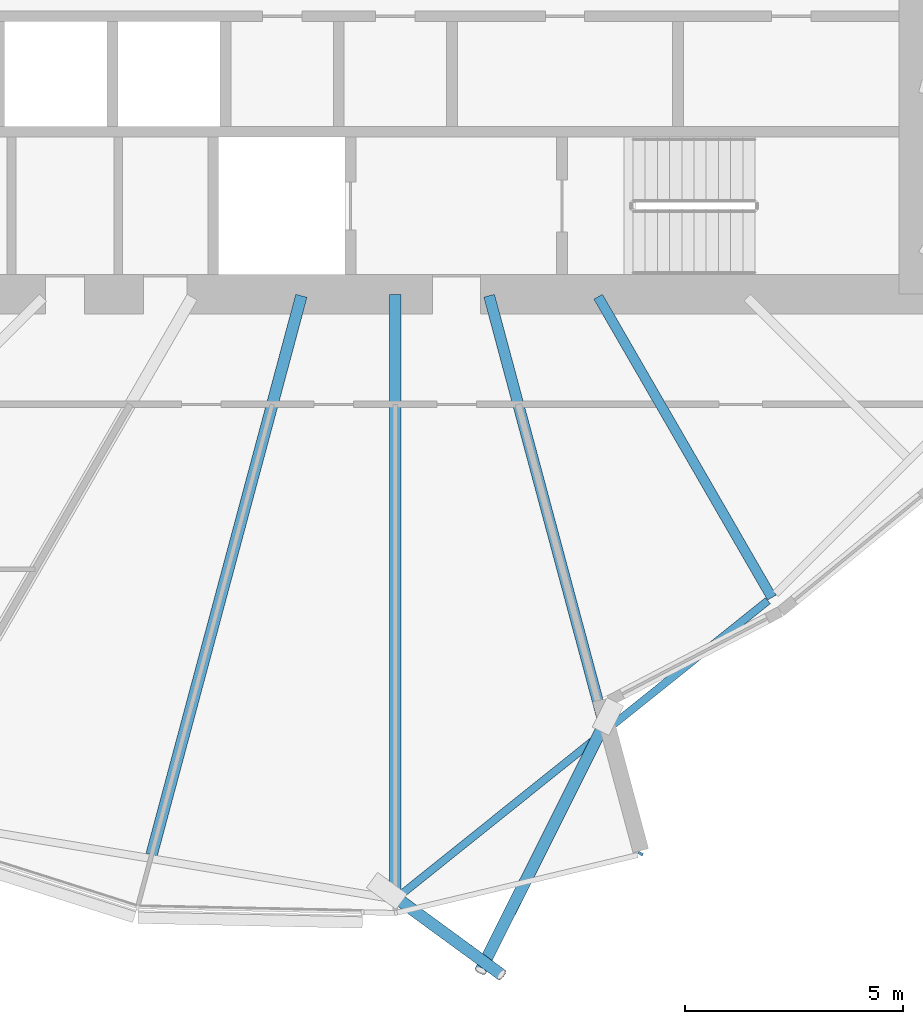
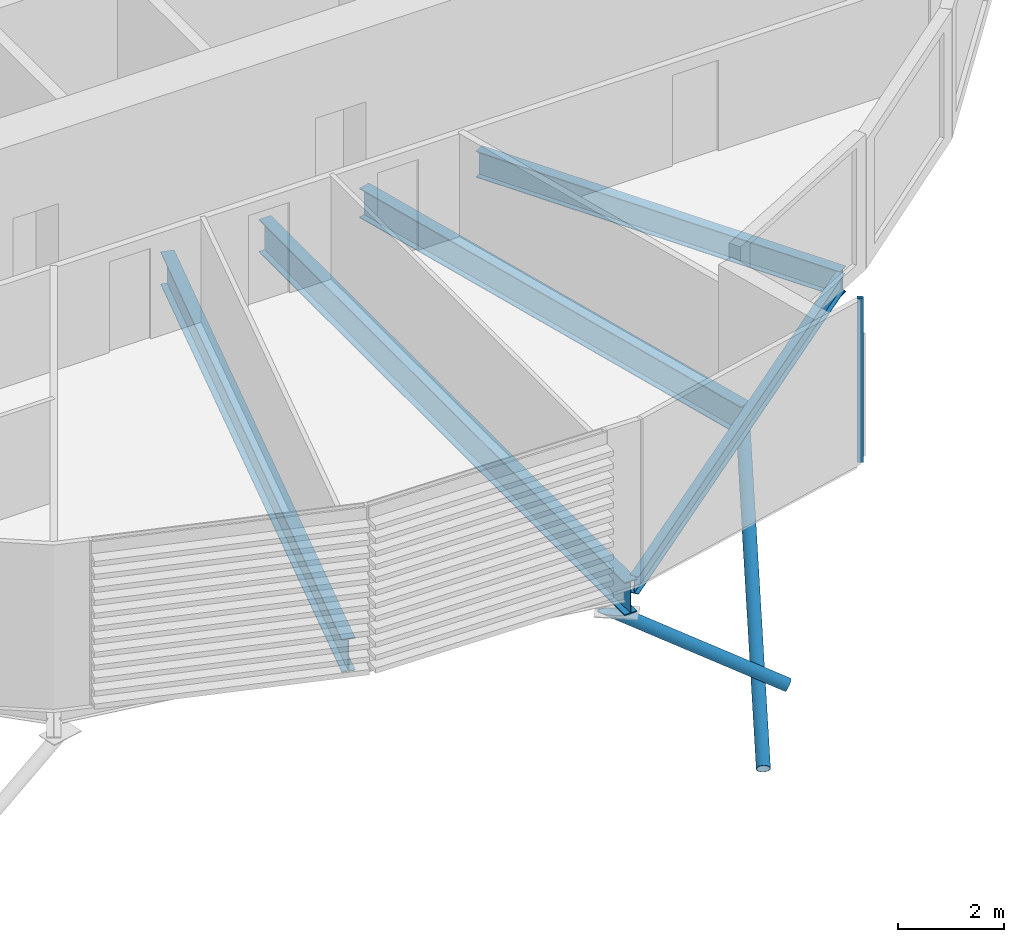
# One storey, part 12 of 38: 5 beams, 3 members, 1 element without a shape of its own.
"""IFC4 building model written with IfcOpenShell, lengths in metres."""

from ifc_helpers import new_model, si_unit, direction, frame, origin, origin_2d, place, context, subcontext, project, spatial, rectangle, hollow_circle, i_section, extrude, clip, halfspace, material, material_profile, profile_set, type_object, element, aggregate, save


model = new_model("IFC4")

# Units and contexts
model_context = context("Model", 3, precision=1e-05, world=origin(), true_north=direction((0.0, 1.0)))
body_context = subcontext(model_context, "Body", "Model", "MODEL_VIEW")
ifc_project = project(units=[si_unit("LENGTHUNIT", "METRE"), si_unit("AREAUNIT", "SQUARE_METRE"), si_unit("VOLUMEUNIT", "CUBIC_METRE"), si_unit("PLANEANGLEUNIT", "RADIAN"), si_unit("MASSUNIT", "GRAM", prefix="KILO")], contexts=[model_context])

# Site, building, storey
site_placement = place(None, origin())
site = spatial("IfcSite", under=ifc_project, at=site_placement, CompositionType="ELEMENT")
building_placement = place(site_placement, origin())
building = spatial("IfcBuilding", under=site, at=building_placement, Name="Rimbun Link Towers", CompositionType="ELEMENT")
storey_placement = place(building_placement, frame((0.0, 0.0, 71.800048828125)))
storey = spatial("IfcBuildingStorey", under=building, at=storey_placement, Name="L17", CompositionType="ELEMENT", Elevation=71.800048828125)

# Curtain wall, member
ifc_material_1 = material(Name="Aluminium 6063-T6 and low-iron glass", Category="aluminium")
curtain_wall_type = type_object("IfcCurtainWallType", Name="CW1 unitised vision wall", PredefinedType="NOTDEFINED", material=ifc_material_1)
curtain_wall_placement = place(storey_placement, origin())
curtain_wall = element("IfcCurtainWall", 1, at=curtain_wall_placement, inside=storey, type_object=curtain_wall_type, Name="CW1 L17 T2", PredefinedType="NOTDEFINED")
ifc_material_2 = material(Name="Aluminium 6063-T6", Category="aluminium")
ifc_material_profile_1 = material_profile(ifc_material_2, rectangle(XDim=0.1201171875, YDim=0.06005859375, at=origin_2d()), Name="MULLION 60X120")
ifc_profile_set_1 = profile_set([ifc_material_profile_1], Name="Aluminium 6063-T6")
member_type_1 = type_object("IfcMemberType", Name="CW1 mullion 60X120", PredefinedType="MULLION", material=ifc_profile_set_1)
member_1_placement = place(storey_placement, frame((37.3740234375, -20.826904296875, 0.0), z_axis=(0.0, 0.0, 1.0), x_axis=(0.859188553098, -0.511659095712, 0.0)))
member_1 = element("IfcMember", 2, at=member_1_placement, type_object=member_type_1, Name="CW1 mullion", PredefinedType="MULLION", context=body_context, shape_type="SweptSolid", body=[
    extrude(rectangle(XDim=0.1201171875, YDim=0.06005859375, at=origin_2d()), origin(), (0.0, 0.0, 1.0), 3.800048828125),
])
aggregate(curtain_wall, [member_1])

# Members
ifc_material_3 = material(Name="Steel S355J2H", Category="steel")
ifc_material_profile_2 = material_profile(ifc_material_3, hollow_circle(Radius=0.136474609375, WallThickness=0.012451171875, at=origin_2d()), Name="CHS 273x12.5")
ifc_profile_set_2 = profile_set([ifc_material_profile_2], Name="Steel S355J2H")
member_type_2 = type_object("IfcMemberType", Name="Floor edge link CHS 273x12.5", PredefinedType="BRACE", material=ifc_profile_set_2)
member_2_placement = place(storey_placement, frame((31.75, -21.822021484375, -1.047607421875), z_axis=(0.739304729856, -0.540940265015, -0.401013897637), x_axis=(0.59049974547, 0.807037824764, 0.0)))
element("IfcMember", 3, at=member_2_placement, inside=storey, type_object=member_type_2, Name="Floor edge link T2 L17 15", PredefinedType="BRACE", context=body_context, shape_type="Clipping", body=[
    clip(extrude(hollow_circle(Radius=0.136474609375, WallThickness=0.012451171875, at=origin_2d()), frame((0.0, 0.0, -0.648681640625)), (0.0, 0.0, 1.0), 3.953125), halfspace(frame((0.0, 0.0, -0.3076171875), z_axis=(0.0, 0.916071969826, -0.401013897637)), False)),
])
member_3_placement = place(storey_placement, frame((36.536376953125, -17.863037109375, -0.96630859375), z_axis=(-0.399059369197, -0.796020779115, -0.455085199795), x_axis=(0.893955480115, -0.448155776011, 0.0)))
element("IfcMember", 4, at=member_3_placement, inside=storey, type_object=member_type_2, Name="Floor edge link T2 L17 16", PredefinedType="BRACE", context=body_context, shape_type="Clipping", body=[
    clip(extrude(hollow_circle(Radius=0.136474609375, WallThickness=0.012451171875, at=origin_2d()), frame((0.0, 0.0, -0.55615234375)), (0.0, 0.0, 1.0), 7.65478515625), halfspace(frame((0.0, 0.0, -0.265380859375), z_axis=(0.0, 0.890447899053, -0.455085199795)), False)),
])

# Beams
ifc_material_4 = material(Name="Steel S355J2", Category="steel")
ifc_material_profile_3 = material_profile(ifc_material_4, i_section(OverallWidth=0.177978515625, OverallDepth=0.406494140625, WebThickness=0.0078125, FlangeThickness=0.0126953125, at=origin_2d()), Name="UB 406x178x60")
ifc_profile_set_3 = profile_set([ifc_material_profile_3], Name="Steel S355J2")
beam_type_1 = type_object("IfcBeamType", Name="UB 406x178x60", PredefinedType="BEAM", material=ifc_profile_set_3)
beam_1_placement = place(storey_placement, frame((31.884033203125, -21.764404296875, -0.36328125), z_axis=(0.780406608882, 0.625272360507, 0.0), x_axis=(-0.625272360507, 0.780406608882, 0.0)))
element("IfcBeam", 5, at=beam_1_placement, inside=storey, type_object=beam_type_1, Name="Edge beam T2 L17 15-17", PredefinedType="BEAM", context=body_context, shape_type="SweptSolid", body=[
    extrude(i_section(OverallWidth=0.177978515625, OverallDepth=0.406494140625, WebThickness=0.0078125, FlangeThickness=0.0126953125, at=origin_2d()), origin(), (0.0, 0.0, 1.0), 10.775390625),
])
ifc_material_5 = material(Name="Steel S355J2", Category="steel")
ifc_material_profile_4 = material_profile(ifc_material_5, i_section(OverallWidth=0.2275390625, OverallDepth=0.6025390625, WebThickness=0.010498046875, FlangeThickness=0.014892578125, at=origin_2d()), Name="UB 610x229x101")
ifc_profile_set_4 = profile_set([ifc_material_profile_4], Name="Steel S355J2")
beam_type_2 = type_object("IfcBeamType", Name="UB 610x229x101", PredefinedType="BEAM", material=ifc_profile_set_4)
beam_2_placement = place(storey_placement, frame((36.402099609375, -8.057861328125, -0.46142578125), z_axis=(0.500013496215, -0.866017611601, 0.0), x_axis=(0.866017611601, 0.500013496215, 0.0)))
element("IfcBeam", 6, at=beam_2_placement, inside=storey, type_object=beam_type_2, Name="Radial beam T2 L17 17", PredefinedType="BEAM", context=body_context, shape_type="SweptSolid", body=[
    extrude(i_section(OverallWidth=0.2275390625, OverallDepth=0.6025390625, WebThickness=0.010498046875, FlangeThickness=0.014892578125, at=origin_2d()), origin(), (0.0, 0.0, 1.0), 7.963134765625),
])
ifc_material_6 = material(Name="Steel S355J2", Category="steel")
ifc_material_profile_5 = material_profile(ifc_material_6, i_section(OverallWidth=0.253662109375, OverallDepth=0.68359375, WebThickness=0.012451171875, FlangeThickness=0.01904296875, at=origin_2d()), Name="UB 686x254x140")
ifc_profile_set_5 = profile_set([ifc_material_profile_5], Name="Steel S355J2")
beam_type_3 = type_object("IfcBeamType", Name="UB 686x254x140", PredefinedType="BEAM", material=ifc_profile_set_5)
beam_3_placement = place(storey_placement, frame((33.902587890625, -8.03369140625, -0.501953125), z_axis=(0.258820016811, -0.96592556592, 0.0), x_axis=(0.96592556592, 0.258820016811, 0.0)))
element("IfcBeam", 7, at=beam_3_placement, inside=storey, type_object=beam_type_3, Name="Radial beam T2 L17 16", PredefinedType="BEAM", context=body_context, shape_type="SweptSolid", body=[
    extrude(i_section(OverallWidth=0.253662109375, OverallDepth=0.68359375, WebThickness=0.012451171875, FlangeThickness=0.01904296875, at=origin_2d()), origin(), (0.0, 0.0, 1.0), 10.22607421875),
])
ifc_material_7 = material(Name="Steel S355J2", Category="steel")
ifc_material_profile_6 = material_profile(ifc_material_7, i_section(OverallWidth=0.2666015625, OverallDepth=0.76220703125, WebThickness=0.014404296875, FlangeThickness=0.021484375, at=origin_2d()), Name="UB 762x267x173")
ifc_profile_set_6 = profile_set([ifc_material_profile_6], Name="Steel S355J2")
beam_type_4 = type_object("IfcBeamType", Name="UB 762x267x173", PredefinedType="BEAM", material=ifc_profile_set_6)
beam_4_placement = place(storey_placement, frame((29.596923828125, -8.035400390625, -0.541259765625), z_axis=(-0.258820400429, -0.965925463129, 0.0), x_axis=(0.965925463129, -0.258820400429, 0.0)))
element("IfcBeam", 8, at=beam_4_placement, inside=storey, type_object=beam_type_4, Name="Radial beam T2 L17 14", PredefinedType="BEAM", context=body_context, shape_type="SweptSolid", body=[
    extrude(i_section(OverallWidth=0.2666015625, OverallDepth=0.76220703125, WebThickness=0.014404296875, FlangeThickness=0.021484375, at=origin_2d()), origin(), (0.0, 0.0, 1.0), 13.267333984375),
])
beam_5_placement = place(storey_placement, frame((31.75, -8.0009765625, -0.541259765625), z_axis=(0.0, -1.0, 0.0), x_axis=(1.0, 0.0, 0.0)))
element("IfcBeam", 9, at=beam_5_placement, inside=storey, type_object=beam_type_4, Name="Radial beam T2 L17 15", PredefinedType="BEAM", context=body_context, shape_type="SweptSolid", body=[
    extrude(i_section(OverallWidth=0.2666015625, OverallDepth=0.76220703125, WebThickness=0.014404296875, FlangeThickness=0.021484375, at=origin_2d()), origin(), (0.0, 0.0, 1.0), 13.870849609375),
])

save(model, "model.ifc")
